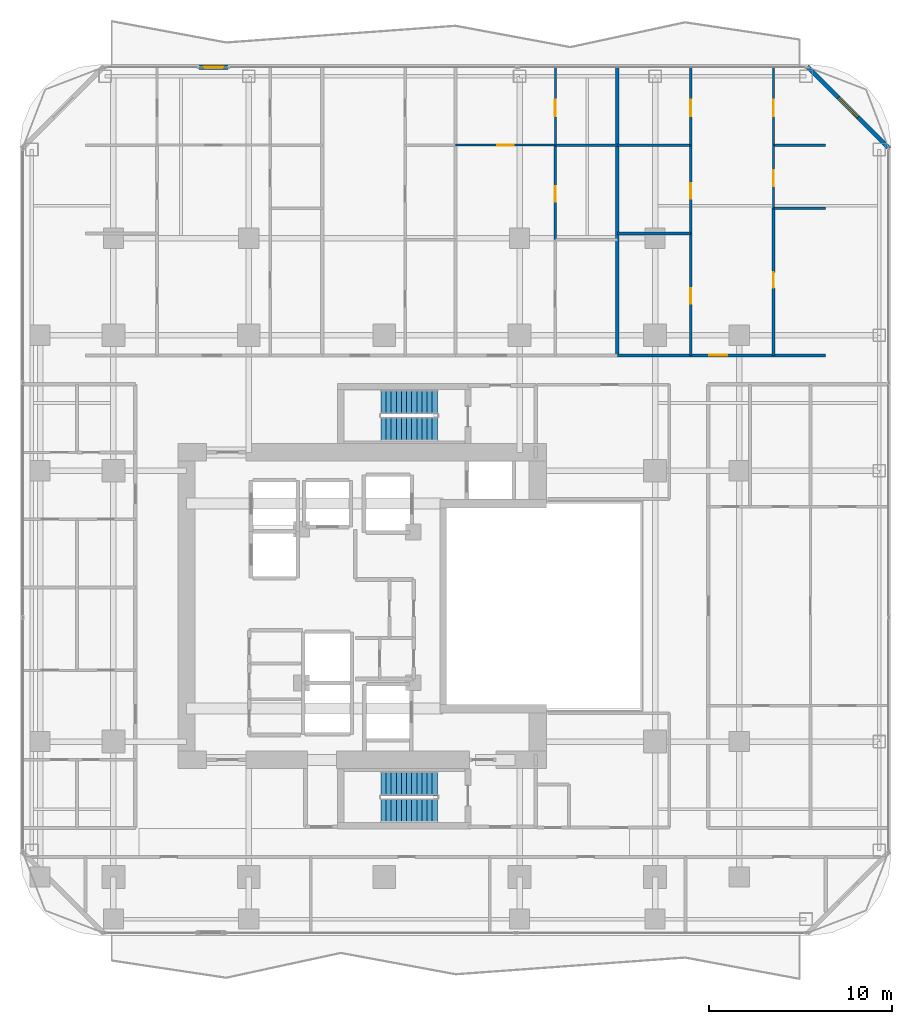
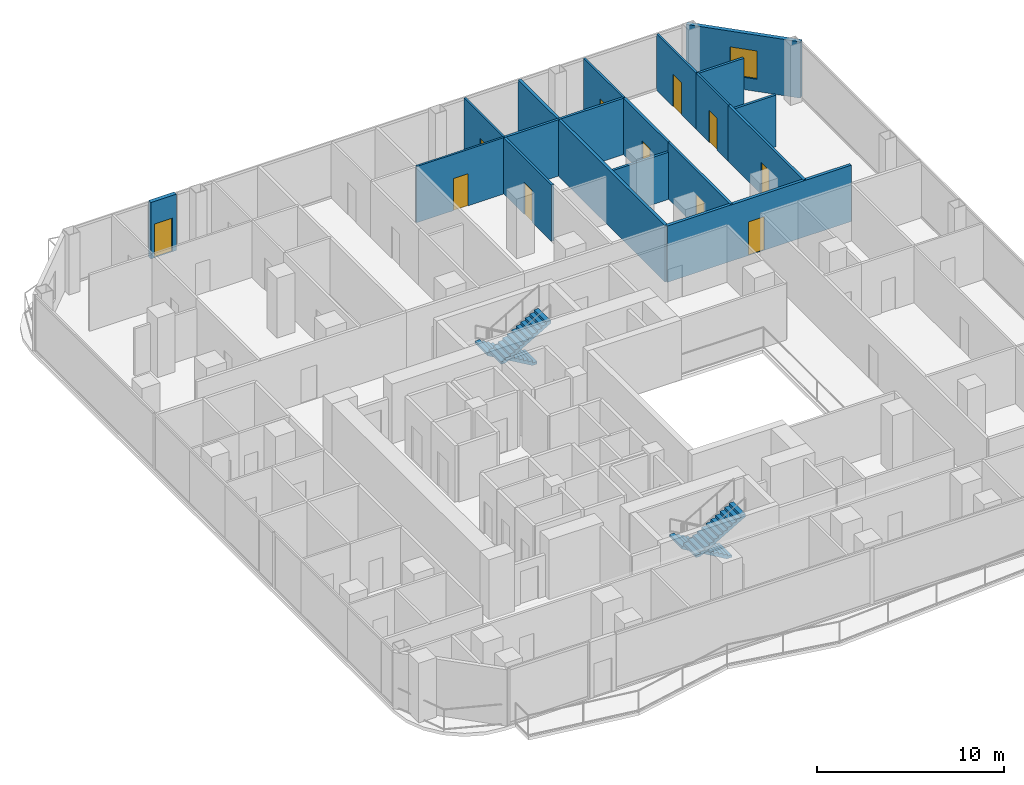
# One storey, part 23 of 26: 18 walls, 11 doors, 4 stair flights, 1 window, 12 openings, 2 elements without a shape of their own.
"""IFC4 building model written with IfcOpenShell, lengths in metres."""

from ifc_helpers import new_model, si_unit, direction, frame, frame_2d, origin, place, context, subcontext, project, spatial, polyline, rectangle, outline, extrude, material, layer, layer_set, type_object, element, fill, aggregate, save


model = new_model("IFC4")

# Units and contexts
model_context = context("Model", 3, precision=1e-05, world=origin(), true_north=direction((0.0, 1.0)))
body_context = subcontext(model_context, "Body", "Model", "MODEL_VIEW")
ifc_project = project(units=[si_unit("LENGTHUNIT", "METRE"), si_unit("AREAUNIT", "SQUARE_METRE"), si_unit("VOLUMEUNIT", "CUBIC_METRE"), si_unit("PLANEANGLEUNIT", "RADIAN"), si_unit("MASSUNIT", "GRAM", prefix="KILO")], contexts=[model_context])

# Site, building, storey
site_placement = place(None, origin())
site = spatial("IfcSite", under=ifc_project, at=site_placement, CompositionType="ELEMENT")
building_placement = place(site_placement, origin())
building = spatial("IfcBuilding", under=site, at=building_placement, Name="Khorvyn Point Tower", CompositionType="ELEMENT")
storey_placement = place(building_placement, frame((0.0, 0.0, 113.39990234375)))
storey = spatial("IfcBuildingStorey", under=building, at=storey_placement, Name="L28", CompositionType="ELEMENT", Elevation=113.39990234375)

# Wall, opening, door
ifc_material_1 = material(Name="Double acoustic gypsum on twin steel stud", Category="steel")
ifc_layer_1 = layer(ifc_material_1, 0.179931640625)
ifc_layer_set_1 = layer_set([ifc_layer_1], Name="Acoustic Double-Stud Apartment Demising Wall 180")
wall_type_1 = type_object("IfcWallType", Name="Acoustic Double-Stud Apartment Demising Wall 180", PredefinedType="PARTITIONING", material=ifc_layer_set_1)
wall_1_placement = place(storey_placement, frame((12.736083984375, 13.699951171875, 0.0), z_axis=(0.0, 0.0, 1.0), x_axis=(1.0, 0.0, 0.0)))
wall_1 = element("IfcWall", 1, at=wall_1_placement, inside=storey, type_object=wall_type_1, Name="Wall", PredefinedType="PARTITIONING", context=body_context, shape_type="SweptSolid", body=[
    extrude(rectangle(XDim=11.384033203125, YDim=0.179931640625, at=frame_2d((5.69189453125, 0.0))), origin(), (0.0, 0.0, 1.0), 3.68017578125),
])
opening_1_placement = place(wall_1_placement, frame((5.01220703125, 0.0, 0.0)))
opening_1 = element("IfcOpeningElement", 2, at=opening_1_placement, cuts=wall_1, Name="Opening ID-AP60", PredefinedType="OPENING", context=body_context, shape_type="SweptSolid", body=[
    extrude(rectangle(XDim=1.0, YDim=2.199951171875, at=frame_2d((0.5, 1.10009765625))), frame((0.0, 0.099853515625, 0.0), z_axis=(0.0, -1.0, 0.0), x_axis=(1.0, 0.0, 0.0)), (0.0, 0.0, 1.0), 0.199951171875),
])
ifc_material_2 = material(Name="Engineered hardwood fire-rated leaf", Category="wood")
door_type_1 = type_object("IfcDoorType", Name="Acoustic Solid-Core Timber Apartment Entrance Door 1000x2200", OperationType="NOTDEFINED", PredefinedType="DOOR", material=ifc_material_2)
door_1_placement = place(opening_1_placement, origin())
door_1 = element("IfcDoor", 3, at=door_1_placement, inside=storey, type_object=door_type_1, Name="Door", OperationType="SINGLE_SWING_LEFT", OverallHeight=2.199951171875, OverallWidth=1.0, PredefinedType="DOOR", context=body_context, shape_type="SweptSolid", body=[
    extrude(rectangle(XDim=1.0, YDim=2.199951171875, at=frame_2d((0.5, 1.10009765625))), frame((0.0, 0.02490234375, 0.0), z_axis=(0.0, -1.0, 0.0), x_axis=(1.0, 0.0, 0.0)), (0.0, 0.0, 1.0), 0.050048828125),
])
fill(opening_1, door_1)

# Wall
wall_2_placement = place(storey_placement, frame((12.736083984375, 13.699951171875, 0.0), z_axis=(0.0, 0.0, 1.0), x_axis=(0.0, 1.0, 0.0)))
element("IfcWall", 4, at=wall_2_placement, inside=storey, type_object=wall_type_1, Name="Wall", PredefinedType="PARTITIONING", context=body_context, shape_type="SweptSolid", body=[
    extrude(rectangle(XDim=15.72998046875, YDim=0.179931640625, at=frame_2d((7.864990234375, 0.0))), origin(), (0.0, 0.0, 1.0), 3.68017578125),
])

# Wall, opening, door
ifc_material_3 = material(Name="Pale anodised aluminium rainscreen on steel stud", Category="steel")
ifc_layer_2 = layer(ifc_material_3, 0.239990234375)
ifc_layer_set_2 = layer_set([ifc_layer_2], Name="Anodised Aluminium Insulated Corner Spandrel Wall 240")
wall_type_2 = type_object("IfcWallType", Name="Anodised Aluminium Insulated Corner Spandrel Wall 240", PredefinedType="SOLIDWALL", material=ifc_layer_set_2)
wall_3_placement = place(storey_placement, frame((-10.10888671875, 29.449951171875, 0.0), z_axis=(0.0, 0.0, 1.0), x_axis=(1.0, 0.0, 0.0)))
wall_3 = element("IfcWall", 5, at=wall_3_placement, inside=storey, type_object=wall_type_2, Name="L28 North Outdoor Threshold Wall", PredefinedType="SOLIDWALL", context=body_context, shape_type="SweptSolid", body=[
    extrude(rectangle(XDim=1.579833984375, YDim=0.239990234375, at=frame_2d((0.7900390625, 0.0))), origin(), (0.0, 0.0, 1.0), 3.68017578125),
])
opening_2_placement = place(wall_3_placement, frame((0.239990234375, 0.0, 0.0)))
opening_2 = element("IfcOpeningElement", 6, at=opening_2_placement, cuts=wall_3, Name="Opening BD-1122", PredefinedType="OPENING", context=body_context, shape_type="SweptSolid", body=[
    extrude(rectangle(XDim=1.10009765625, YDim=2.199951171875, at=frame_2d((0.550048828125, 1.10009765625))), frame((0.0, 0.1298828125, 0.0), z_axis=(0.0, -1.0, 0.0), x_axis=(1.0, 0.0, 0.0)), (0.0, 0.0, 1.0), 0.260009765625),
])
ifc_material_4 = material(Name="Anodised aluminium 6063-T6 and laminated Low-E glass", Category="aluminium")
door_type_2 = type_object("IfcDoorType", Name="Glazed Balcony and Terrace Threshold Door 1100x2200", OperationType="NOTDEFINED", PredefinedType="DOOR", material=ifc_material_4)
door_2_placement = place(opening_2_placement, origin())
door_2 = element("IfcDoor", 7, at=door_2_placement, inside=storey, type_object=door_type_2, Name="L28 North Glazed Balcony Outdoor Door", OperationType="SINGLE_SWING_LEFT", OverallHeight=2.199951171875, OverallWidth=1.10009765625, PredefinedType="DOOR", context=body_context, shape_type="SweptSolid", body=[
    extrude(rectangle(XDim=1.10009765625, YDim=2.199951171875, at=frame_2d((0.550048828125, 1.10009765625))), frame((0.0, 0.02490234375, 0.0), z_axis=(0.0, -1.0, 0.0), x_axis=(1.0, 0.0, 0.0)), (0.0, 0.0, 1.0), 0.050048828125),
])
fill(opening_2, door_2)

# Wall, opening, window
wall_4_placement = place(storey_placement, frame((23.107666015625, 29.492431640625, 0.0), z_axis=(0.0, 0.0, 1.0), x_axis=(0.707087534163, -0.707126027686, 0.0)))
wall_4 = element("IfcWall", 8, at=wall_4_placement, inside=storey, type_object=wall_type_2, Name="L28 Rounded Corner Wall NE", PredefinedType="SOLIDWALL", context=body_context, shape_type="SweptSolid", body=[
    extrude(rectangle(XDim=6.34228515625, YDim=0.239990234375, at=frame_2d((3.171142578125, 0.0))), origin(), (0.0, 0.0, 1.0), 3.68017578125),
])
opening_3_placement = place(wall_4_placement, frame((2.42138671875, 0.0, 0.800048828125)))
opening_3 = element("IfcOpeningElement", 9, at=opening_3_placement, cuts=wall_4, Name="Opening WN-1518", PredefinedType="OPENING", context=body_context, shape_type="SweptSolid", body=[
    extrude(rectangle(XDim=1.5, YDim=1.85009765625, at=frame_2d((0.75, 0.925048828125))), frame((0.0, 0.1298828125, 0.0), z_axis=(0.0, -1.0, 0.0), x_axis=(1.0, 0.0, 0.0)), (0.0, 0.0, 1.0), 0.260009765625),
])
window_type = type_object("IfcWindowType", Name="Anodised Aluminium Rounded-Corner Panoramic Window 1500x1850", PartitioningType="SINGLE_PANEL", PredefinedType="WINDOW", material=ifc_material_4)
window_placement = place(opening_3_placement, origin())
window = element("IfcWindow", 10, at=window_placement, inside=storey, type_object=window_type, Name="L28 Corner Panoramic Window NE", OverallHeight=1.85009765625, OverallWidth=1.5, PartitioningType="SINGLE_PANEL", PredefinedType="WINDOW", context=body_context, shape_type="SweptSolid", body=[
    extrude(rectangle(XDim=1.5, YDim=1.85009765625, at=frame_2d((0.75, 0.925048828125))), frame((0.0, 0.030029296875, 0.0), z_axis=(0.0, -1.0, 0.0), x_axis=(1.0, 0.0, 0.0)), (0.0, 0.0, 1.0), 0.06005859375),
])
fill(opening_3, window)

# Wall, opening, door
ifc_material_5 = material(Name="Gypsum plasterboard on steel stud", Category="steel")
ifc_layer_3 = layer(ifc_material_5, 0.1201171875)
ifc_layer_set_3 = layer_set([ifc_layer_3], Name="Gypsum Acoustic Stud Room Partition Wall 120")
wall_type_3 = type_object("IfcWallType", Name="Gypsum Acoustic Stud Room Partition Wall 120", PredefinedType="PARTITIONING", material=ifc_layer_set_3)
wall_5_placement = place(storey_placement, frame((3.89990234375, 25.18994140625, 0.0), z_axis=(0.0, 0.0, 1.0), x_axis=(1.0, 0.0, 0.0)))
wall_5 = element("IfcWall", 11, at=wall_5_placement, inside=storey, type_object=wall_type_3, Name="Wall", PredefinedType="PARTITIONING", context=body_context, shape_type="SweptSolid", body=[
    extrude(rectangle(XDim=5.451171875, YDim=0.1201171875, at=frame_2d((2.7255859375, 0.0))), origin(), (0.0, 0.0, 1.0), 3.68017578125),
])
opening_4_placement = place(wall_5_placement, frame((2.275390625, 0.0, 0.0)))
opening_4 = element("IfcOpeningElement", 12, at=opening_4_placement, cuts=wall_5, Name="Opening ID-RM90", PredefinedType="OPENING", context=body_context, shape_type="SweptSolid", body=[
    extrude(rectangle(XDim=0.89990234375, YDim=2.10009765625, at=frame_2d((0.449951171875, 1.050048828125))), frame((0.0, 0.070068359375, 0.0), z_axis=(0.0, -1.0, 0.0), x_axis=(1.0, 0.0, 0.0)), (0.0, 0.0, 1.0), 0.14013671875),
])
ifc_material_6 = material(Name="Engineered oak veneer timber", Category="wood")
door_type_3 = type_object("IfcDoorType", Name="Flush Engineered Timber Room Door 900x2100", OperationType="NOTDEFINED", PredefinedType="DOOR", material=ifc_material_6)
door_3_placement = place(opening_4_placement, origin())
door_3 = element("IfcDoor", 13, at=door_3_placement, inside=storey, type_object=door_type_3, Name="Door", OperationType="SINGLE_SWING_LEFT", OverallHeight=2.10009765625, OverallWidth=0.89990234375, PredefinedType="DOOR", context=body_context, shape_type="SweptSolid", body=[
    extrude(rectangle(XDim=0.89990234375, YDim=2.10009765625, at=frame_2d((0.449951171875, 1.050048828125))), frame((0.0, 0.02490234375, 0.0), z_axis=(0.0, -1.0, 0.0), x_axis=(1.0, 0.0, 0.0)), (0.0, 0.0, 1.0), 0.050048828125),
])
fill(opening_4, door_3)

wall_6_placement = place(storey_placement, frame((9.35107421875, 25.18994140625, 0.0), z_axis=(0.0, 0.0, 1.0), x_axis=(0.0, 1.0, 0.0)))
wall_6 = element("IfcWall", 14, at=wall_6_placement, inside=storey, type_object=wall_type_3, Name="Wall", PredefinedType="PARTITIONING", context=body_context, shape_type="SweptSolid", body=[
    extrude(rectangle(XDim=4.239990234375, YDim=0.1201171875, at=frame_2d((2.1201171875, 0.0))), origin(), (0.0, 0.0, 1.0), 3.68017578125),
])
opening_5_placement = place(wall_6_placement, frame((1.581298828125, 0.0, 0.0)))
opening_5 = element("IfcOpeningElement", 15, at=opening_5_placement, cuts=wall_6, Name="Opening ID-RM90", PredefinedType="OPENING", context=body_context, shape_type="SweptSolid", body=[
    extrude(rectangle(XDim=0.89990234375, YDim=2.10009765625, at=frame_2d((0.449951171875, 1.050048828125))), frame((0.0, 0.070068359375, 0.0), z_axis=(0.0, -1.0, 0.0), x_axis=(1.0, 0.0, 0.0)), (0.0, 0.0, 1.0), 0.14013671875),
])
door_4_placement = place(opening_5_placement, origin())
door_4 = element("IfcDoor", 16, at=door_4_placement, inside=storey, type_object=door_type_3, Name="Door", OperationType="SINGLE_SWING_RIGHT", OverallHeight=2.10009765625, OverallWidth=0.89990234375, PredefinedType="DOOR", context=body_context, shape_type="SweptSolid", body=[
    extrude(rectangle(XDim=0.89990234375, YDim=2.10009765625, at=frame_2d((0.449951171875, 1.050048828125))), frame((0.0, 0.02490234375, 0.0), z_axis=(0.0, -1.0, 0.0), x_axis=(1.0, 0.0, 0.0)), (0.0, 0.0, 1.0), 0.050048828125),
])
fill(opening_5, door_4)

wall_7_placement = place(storey_placement, frame((16.748046875, 25.18994140625, 0.0), z_axis=(0.0, 0.0, 1.0), x_axis=(0.0, 1.0, 0.0)))
wall_7 = element("IfcWall", 17, at=wall_7_placement, inside=storey, type_object=wall_type_3, Name="Wall", PredefinedType="PARTITIONING", context=body_context, shape_type="SweptSolid", body=[
    extrude(rectangle(XDim=4.239990234375, YDim=0.1201171875, at=frame_2d((2.1201171875, 0.0))), origin(), (0.0, 0.0, 1.0), 3.68017578125),
])
opening_6_placement = place(wall_7_placement, frame((1.581298828125, 0.0, 0.0)))
opening_6 = element("IfcOpeningElement", 18, at=opening_6_placement, cuts=wall_7, Name="Opening ID-RM90", PredefinedType="OPENING", context=body_context, shape_type="SweptSolid", body=[
    extrude(rectangle(XDim=0.89990234375, YDim=2.10009765625, at=frame_2d((0.449951171875, 1.050048828125))), frame((0.0, 0.070068359375, 0.0), z_axis=(0.0, -1.0, 0.0), x_axis=(1.0, 0.0, 0.0)), (0.0, 0.0, 1.0), 0.14013671875),
])
door_5_placement = place(opening_6_placement, origin())
door_5 = element("IfcDoor", 19, at=door_5_placement, inside=storey, type_object=door_type_3, Name="Door", OperationType="SINGLE_SWING_RIGHT", OverallHeight=2.10009765625, OverallWidth=0.89990234375, PredefinedType="DOOR", context=body_context, shape_type="SweptSolid", body=[
    extrude(rectangle(XDim=0.89990234375, YDim=2.10009765625, at=frame_2d((0.449951171875, 1.050048828125))), frame((0.0, 0.02490234375, 0.0), z_axis=(0.0, -1.0, 0.0), x_axis=(1.0, 0.0, 0.0)), (0.0, 0.0, 1.0), 0.050048828125),
])
fill(opening_6, door_5)

wall_8_placement = place(storey_placement, frame((21.27001953125, 21.742919921875, 0.0), z_axis=(0.0, 0.0, 1.0), x_axis=(0.0, 1.0, 0.0)))
wall_8 = element("IfcWall", 20, at=wall_8_placement, inside=storey, type_object=wall_type_3, Name="Wall", PredefinedType="PARTITIONING", context=body_context, shape_type="SweptSolid", body=[
    extrude(rectangle(XDim=3.447021484375, YDim=0.1201171875, at=frame_2d((1.7236328125, 0.0))), origin(), (0.0, 0.0, 1.0), 3.68017578125),
])
opening_7_placement = place(wall_8_placement, frame((1.2109375, 0.0, 0.0)))
opening_7 = element("IfcOpeningElement", 21, at=opening_7_placement, cuts=wall_8, Name="Opening ID-WC85", PredefinedType="OPENING", context=body_context, shape_type="SweptSolid", body=[
    extrude(rectangle(XDim=0.85009765625, YDim=2.10009765625, at=frame_2d((0.425048828125, 1.050048828125))), frame((0.0, 0.070068359375, 0.0), z_axis=(0.0, -1.0, 0.0), x_axis=(1.0, 0.0, 0.0)), (0.0, 0.0, 1.0), 0.14013671875),
])
ifc_material_7 = material(Name="High-pressure laminate on moisture-resistant core", Category="wood")
door_type_4 = type_object("IfcDoorType", Name="Moisture-Resistant Accessible Washroom Door 850x2100", OperationType="NOTDEFINED", PredefinedType="DOOR", material=ifc_material_7)
door_6_placement = place(opening_7_placement, origin())
door_6 = element("IfcDoor", 22, at=door_6_placement, inside=storey, type_object=door_type_4, Name="Door", OperationType="SINGLE_SWING_RIGHT", OverallHeight=2.10009765625, OverallWidth=0.85009765625, PredefinedType="DOOR", context=body_context, shape_type="SweptSolid", body=[
    extrude(rectangle(XDim=0.85009765625, YDim=2.10009765625, at=frame_2d((0.425048828125, 1.050048828125))), frame((0.0, 0.02490234375, 0.0), z_axis=(0.0, -1.0, 0.0), x_axis=(1.0, 0.0, 0.0)), (0.0, 0.0, 1.0), 0.050048828125),
])
fill(opening_7, door_6)

wall_9_placement = place(storey_placement, frame((21.27001953125, 25.18994140625, 0.0), z_axis=(0.0, 0.0, 1.0), x_axis=(0.0, 1.0, 0.0)))
wall_9 = element("IfcWall", 23, at=wall_9_placement, inside=storey, type_object=wall_type_3, Name="Wall", PredefinedType="PARTITIONING", context=body_context, shape_type="SweptSolid", body=[
    extrude(rectangle(XDim=4.239990234375, YDim=0.1201171875, at=frame_2d((2.1201171875, 0.0))), origin(), (0.0, 0.0, 1.0), 3.68017578125),
])
opening_8_placement = place(wall_9_placement, frame((1.581298828125, 0.0, 0.0)))
opening_8 = element("IfcOpeningElement", 24, at=opening_8_placement, cuts=wall_9, Name="Opening ID-RM90", PredefinedType="OPENING", context=body_context, shape_type="SweptSolid", body=[
    extrude(rectangle(XDim=0.89990234375, YDim=2.10009765625, at=frame_2d((0.449951171875, 1.050048828125))), frame((0.0, 0.070068359375, 0.0), z_axis=(0.0, -1.0, 0.0), x_axis=(1.0, 0.0, 0.0)), (0.0, 0.0, 1.0), 0.14013671875),
])
door_7_placement = place(opening_8_placement, origin())
door_7 = element("IfcDoor", 25, at=door_7_placement, inside=storey, type_object=door_type_3, Name="Door", OperationType="SINGLE_SWING_LEFT", OverallHeight=2.10009765625, OverallWidth=0.89990234375, PredefinedType="DOOR", context=body_context, shape_type="SweptSolid", body=[
    extrude(rectangle(XDim=0.89990234375, YDim=2.10009765625, at=frame_2d((0.449951171875, 1.050048828125))), frame((0.0, 0.02490234375, 0.0), z_axis=(0.0, -1.0, 0.0), x_axis=(1.0, 0.0, 0.0)), (0.0, 0.0, 1.0), 0.050048828125),
])
fill(opening_8, door_7)

ifc_material_8 = material(Name="Moisture-resistant gypsum and cement board", Category="gypsum")
ifc_layer_4 = layer(ifc_material_8, 0.14990234375)
ifc_layer_set_4 = layer_set([ifc_layer_4], Name="Moisture-Resistant Wet-Room Partition Wall 150")
wall_type_4 = type_object("IfcWallType", Name="Moisture-Resistant Wet-Room Partition Wall 150", PredefinedType="PARTITIONING", material=ifc_layer_set_4)
wall_10_placement = place(storey_placement, frame((9.35107421875, 20.02001953125, 0.0), z_axis=(0.0, 0.0, 1.0), x_axis=(0.0, 1.0, 0.0)))
wall_10 = element("IfcWall", 26, at=wall_10_placement, inside=storey, type_object=wall_type_4, Name="Wall", PredefinedType="PARTITIONING", context=body_context, shape_type="SweptSolid", body=[
    extrude(rectangle(XDim=5.169921875, YDim=0.14990234375, at=frame_2d((2.5849609375, 0.0))), origin(), (0.0, 0.0, 1.0), 3.68017578125),
])
opening_9_placement = place(wall_10_placement, frame((2.072998046875, 0.0, 0.0)))
opening_9 = element("IfcOpeningElement", 27, at=opening_9_placement, cuts=wall_10, Name="Opening ID-WC85", PredefinedType="OPENING", context=body_context, shape_type="SweptSolid", body=[
    extrude(rectangle(XDim=0.85009765625, YDim=2.10009765625, at=frame_2d((0.425048828125, 1.050048828125))), frame((0.0, 0.0849609375, 0.0), z_axis=(0.0, -1.0, 0.0), x_axis=(1.0, 0.0, 0.0)), (0.0, 0.0, 1.0), 0.169921875),
])
door_8_placement = place(opening_9_placement, origin())
door_8 = element("IfcDoor", 28, at=door_8_placement, inside=storey, type_object=door_type_4, Name="Door", OperationType="SINGLE_SWING_LEFT", OverallHeight=2.10009765625, OverallWidth=0.85009765625, PredefinedType="DOOR", context=body_context, shape_type="SweptSolid", body=[
    extrude(rectangle(XDim=0.85009765625, YDim=2.10009765625, at=frame_2d((0.425048828125, 1.050048828125))), frame((0.0, 0.02490234375, 0.0), z_axis=(0.0, -1.0, 0.0), x_axis=(1.0, 0.0, 0.0)), (0.0, 0.0, 1.0), 0.050048828125),
])
fill(opening_9, door_8)

wall_11_placement = place(storey_placement, frame((16.748046875, 13.699951171875, 0.0), z_axis=(0.0, 0.0, 1.0), x_axis=(0.0, 1.0, 0.0)))
wall_11 = element("IfcWall", 29, at=wall_11_placement, inside=storey, type_object=wall_type_4, Name="Wall", PredefinedType="PARTITIONING", context=body_context, shape_type="SweptSolid", body=[
    extrude(rectangle(XDim=6.6640625, YDim=0.14990234375, at=frame_2d((3.33203125, 0.0))), origin(), (0.0, 0.0, 1.0), 3.68017578125),
])
opening_10_placement = place(wall_11_placement, frame((2.818359375, 0.0, 0.0)))
opening_10 = element("IfcOpeningElement", 30, at=opening_10_placement, cuts=wall_11, Name="Opening ID-WC85", PredefinedType="OPENING", context=body_context, shape_type="SweptSolid", body=[
    extrude(rectangle(XDim=0.85009765625, YDim=2.10009765625, at=frame_2d((0.425048828125, 1.050048828125))), frame((0.0, 0.0849609375, 0.0), z_axis=(0.0, -1.0, 0.0), x_axis=(1.0, 0.0, 0.0)), (0.0, 0.0, 1.0), 0.169921875),
])
door_9_placement = place(opening_10_placement, origin())
door_9 = element("IfcDoor", 31, at=door_9_placement, inside=storey, type_object=door_type_4, Name="Door", OperationType="SINGLE_SWING_RIGHT", OverallHeight=2.10009765625, OverallWidth=0.85009765625, PredefinedType="DOOR", context=body_context, shape_type="SweptSolid", body=[
    extrude(rectangle(XDim=0.85009765625, YDim=2.10009765625, at=frame_2d((0.425048828125, 1.050048828125))), frame((0.0, 0.02490234375, 0.0), z_axis=(0.0, -1.0, 0.0), x_axis=(1.0, 0.0, 0.0)), (0.0, 0.0, 1.0), 0.050048828125),
])
fill(opening_10, door_9)

wall_12_placement = place(storey_placement, frame((16.748046875, 20.364013671875, 0.0), z_axis=(0.0, 0.0, 1.0), x_axis=(0.0, 1.0, 0.0)))
wall_12 = element("IfcWall", 32, at=wall_12_placement, inside=storey, type_object=wall_type_4, Name="Wall", PredefinedType="PARTITIONING", context=body_context, shape_type="SweptSolid", body=[
    extrude(rectangle(XDim=4.825927734375, YDim=0.14990234375, at=frame_2d((2.4130859375, 0.0))), origin(), (0.0, 0.0, 1.0), 3.68017578125),
])
opening_11_placement = place(wall_12_placement, frame((1.90087890625, 0.0, 0.0)))
opening_11 = element("IfcOpeningElement", 33, at=opening_11_placement, cuts=wall_12, Name="Opening ID-WC85", PredefinedType="OPENING", context=body_context, shape_type="SweptSolid", body=[
    extrude(rectangle(XDim=0.85009765625, YDim=2.10009765625, at=frame_2d((0.425048828125, 1.050048828125))), frame((0.0, 0.0849609375, 0.0), z_axis=(0.0, -1.0, 0.0), x_axis=(1.0, 0.0, 0.0)), (0.0, 0.0, 1.0), 0.169921875),
])
door_10_placement = place(opening_11_placement, origin())
door_10 = element("IfcDoor", 34, at=door_10_placement, inside=storey, type_object=door_type_4, Name="Door", OperationType="SINGLE_SWING_LEFT", OverallHeight=2.10009765625, OverallWidth=0.85009765625, PredefinedType="DOOR", context=body_context, shape_type="SweptSolid", body=[
    extrude(rectangle(XDim=0.85009765625, YDim=2.10009765625, at=frame_2d((0.425048828125, 1.050048828125))), frame((0.0, 0.02490234375, 0.0), z_axis=(0.0, -1.0, 0.0), x_axis=(1.0, 0.0, 0.0)), (0.0, 0.0, 1.0), 0.050048828125),
])
fill(opening_11, door_10)

wall_13_placement = place(storey_placement, frame((21.27001953125, 13.699951171875, 0.0), z_axis=(0.0, 0.0, 1.0), x_axis=(0.0, 1.0, 0.0)))
wall_13 = element("IfcWall", 35, at=wall_13_placement, inside=storey, type_object=wall_type_4, Name="Wall", PredefinedType="PARTITIONING", context=body_context, shape_type="SweptSolid", body=[
    extrude(rectangle(XDim=8.04296875, YDim=0.14990234375, at=frame_2d((4.021484375, 0.0))), origin(), (0.0, 0.0, 1.0), 3.68017578125),
])
opening_12_placement = place(wall_13_placement, frame((3.6845703125, 0.0, 0.0)))
opening_12 = element("IfcOpeningElement", 36, at=opening_12_placement, cuts=wall_13, Name="Opening ID-WC85", PredefinedType="OPENING", context=body_context, shape_type="SweptSolid", body=[
    extrude(rectangle(XDim=0.85009765625, YDim=2.10009765625, at=frame_2d((0.425048828125, 1.050048828125))), frame((0.0, 0.0849609375, 0.0), z_axis=(0.0, -1.0, 0.0), x_axis=(1.0, 0.0, 0.0)), (0.0, 0.0, 1.0), 0.169921875),
])
door_11_placement = place(opening_12_placement, origin())
door_11 = element("IfcDoor", 37, at=door_11_placement, inside=storey, type_object=door_type_4, Name="Door", OperationType="SINGLE_SWING_LEFT", OverallHeight=2.10009765625, OverallWidth=0.85009765625, PredefinedType="DOOR", context=body_context, shape_type="SweptSolid", body=[
    extrude(rectangle(XDim=0.85009765625, YDim=2.10009765625, at=frame_2d((0.425048828125, 1.050048828125))), frame((0.0, 0.02490234375, 0.0), z_axis=(0.0, -1.0, 0.0), x_axis=(1.0, 0.0, 0.0)), (0.0, 0.0, 1.0), 0.050048828125),
])
fill(opening_12, door_11)

# Walls
wall_14_placement = place(storey_placement, frame((9.35107421875, 25.18994140625, 0.0), z_axis=(0.0, 0.0, 1.0), x_axis=(1.0, 0.0, 0.0)))
element("IfcWall", 38, at=wall_14_placement, inside=storey, type_object=wall_type_4, Name="Wall", PredefinedType="PARTITIONING", context=body_context, shape_type="SweptSolid", body=[
    extrude(rectangle(XDim=3.385009765625, YDim=0.14990234375, at=frame_2d((1.6923828125, 0.0))), origin(), (0.0, 0.0, 1.0), 3.68017578125),
])
wall_15_placement = place(storey_placement, frame((12.736083984375, 20.364013671875, 0.0), z_axis=(0.0, 0.0, 1.0), x_axis=(1.0, 0.0, 0.0)))
element("IfcWall", 39, at=wall_15_placement, inside=storey, type_object=wall_type_4, Name="Wall", PredefinedType="PARTITIONING", context=body_context, shape_type="SweptSolid", body=[
    extrude(rectangle(XDim=4.011962890625, YDim=0.14990234375, at=frame_2d((2.005859375, 0.0))), origin(), (0.0, 0.0, 1.0), 3.08203125),
])
wall_16_placement = place(storey_placement, frame((12.736083984375, 25.18994140625, 0.0), z_axis=(0.0, 0.0, 1.0), x_axis=(1.0, 0.0, 0.0)))
element("IfcWall", 40, at=wall_16_placement, inside=storey, type_object=wall_type_4, Name="Wall", PredefinedType="PARTITIONING", context=body_context, shape_type="SweptSolid", body=[
    extrude(rectangle(XDim=4.011962890625, YDim=0.14990234375, at=frame_2d((2.005859375, 0.0))), origin(), (0.0, 0.0, 1.0), 3.68017578125),
])
wall_17_placement = place(storey_placement, frame((21.27001953125, 21.742919921875, 0.0), z_axis=(0.0, 0.0, 1.0), x_axis=(1.0, 0.0, 0.0)))
element("IfcWall", 41, at=wall_17_placement, inside=storey, type_object=wall_type_4, Name="Wall", PredefinedType="PARTITIONING", context=body_context, shape_type="SweptSolid", body=[
    extrude(rectangle(XDim=2.85009765625, YDim=0.14990234375, at=frame_2d((1.425048828125, 0.0))), origin(), (0.0, 0.0, 1.0), 3.3701171875),
])
wall_18_placement = place(storey_placement, frame((21.27001953125, 25.18994140625, 0.0), z_axis=(0.0, 0.0, 1.0), x_axis=(1.0, 0.0, 0.0)))
element("IfcWall", 42, at=wall_18_placement, inside=storey, type_object=wall_type_4, Name="Wall", PredefinedType="PARTITIONING", context=body_context, shape_type="SweptSolid", body=[
    extrude(rectangle(XDim=2.85009765625, YDim=0.14990234375, at=frame_2d((1.425048828125, 0.0))), origin(), (0.0, 0.0, 1.0), 3.68017578125),
])

# Stair, stair flights
ifc_material_9 = material(Name="Concrete C40/50", Category="concrete")
stair_type = type_object("IfcStairType", Name="Tower Concrete C40/50 Dogleg Exit Stair", PredefinedType="HALF_TURN_STAIR", material=ifc_material_9)
stair_1_placement = place(storey_placement, origin())
stair_1 = element("IfcStair", 43, at=stair_1_placement, inside=storey, type_object=stair_type, Name="L28 Tower Smokeproof Exit Stair South", PredefinedType="HALF_TURN_STAIR")
stair_flight_type = type_object("IfcStairFlightType", Name="Tower Concrete C40/50 Stair Flight", PredefinedType="STRAIGHT", material=ifc_material_9)
stair_flight_1_placement = place(storey_placement, frame((2.89990234375, -9.679931640625, 0.0), z_axis=(0.0, 0.0, 1.0), x_axis=(-1.0, 0.0, 0.0)))
stair_flight_1 = element("IfcStairFlight", 44, at=stair_flight_1_placement, type_object=stair_flight_type, Name="ST-01 flight 1", NumberOfRisers=12, NumberOfTreads=11, PredefinedType="STRAIGHT", RiserHeight=0.1625, TreadLength=0.28, context=body_context, shape_type="SweptSolid", body=[
    extrude(outline(polyline([(0.0, 0.0), (0.0, 0.16259765625), (0.280029296875, 0.16259765625), (0.280029296875, 0.324951171875), (0.56005859375, 0.324951171875), (0.56005859375, 0.487548828125), (0.840087890625, 0.487548828125), (0.840087890625, 0.64990234375), (1.1201171875, 0.64990234375), (1.1201171875, 0.8125), (1.39990234375, 0.8125), (1.39990234375, 0.97509765625), (1.679931640625, 0.97509765625), (1.679931640625, 1.137451171875), (1.9599609375, 1.137451171875), (1.9599609375, 1.300048828125), (2.239990234375, 1.300048828125), (2.239990234375, 1.46240234375), (2.52001953125, 1.46240234375), (2.52001953125, 1.625), (2.800048828125, 1.625), (2.800048828125, 1.78759765625), (3.080078125, 1.78759765625), (3.080078125, 1.949951171875), (3.080078125, 1.6142578125), (0.298583984375, 0.0), (0.0, 0.0)])), frame((0.0, 0.66015625, 0.0), z_axis=(0.0, -1.0, 0.0), x_axis=(1.0, 0.0, 0.0)), (0.0, 0.0, 1.0), 1.320068359375),
])
stair_flight_2_placement = place(storey_placement, frame((-0.179931640625, -11.159912109375, 1.9501953125), z_axis=(0.0, 0.0, 1.0), x_axis=(1.0, 0.0, 0.0)))
stair_flight_2 = element("IfcStairFlight", 45, at=stair_flight_2_placement, type_object=stair_flight_type, Name="ST-01 flight 2", NumberOfRisers=12, NumberOfTreads=11, PredefinedType="STRAIGHT", RiserHeight=0.1625, TreadLength=0.28, context=body_context, shape_type="SweptSolid", body=[
    extrude(outline(polyline([(0.0, 0.0), (0.0, 0.16259765625), (0.280029296875, 0.16259765625), (0.280029296875, 0.324951171875), (0.56005859375, 0.324951171875), (0.56005859375, 0.487548828125), (0.840087890625, 0.487548828125), (0.840087890625, 0.64990234375), (1.1201171875, 0.64990234375), (1.1201171875, 0.8125), (1.39990234375, 0.8125), (1.39990234375, 0.97509765625), (1.679931640625, 0.97509765625), (1.679931640625, 1.137451171875), (1.9599609375, 1.137451171875), (1.9599609375, 1.300048828125), (2.239990234375, 1.300048828125), (2.239990234375, 1.46240234375), (2.52001953125, 1.46240234375), (2.52001953125, 1.625), (2.800048828125, 1.625), (2.800048828125, 1.78759765625), (3.080078125, 1.78759765625), (3.080078125, 1.949951171875), (3.080078125, 1.6142578125), (0.298583984375, 0.0), (0.0, 0.0)])), frame((0.0, 0.66015625, 0.0), z_axis=(0.0, -1.0, 0.0), x_axis=(1.0, 0.0, 0.0)), (0.0, 0.0, 1.0), 1.320068359375),
])
aggregate(stair_1, [stair_flight_1, stair_flight_2])

stair_2_placement = place(storey_placement, origin())
stair_2 = element("IfcStair", 46, at=stair_2_placement, inside=storey, type_object=stair_type, Name="L28 Tower Smokeproof Exit Stair North", PredefinedType="HALF_TURN_STAIR")
stair_flight_3_placement = place(storey_placement, frame((2.89990234375, 11.159912109375, 0.0), z_axis=(0.0, 0.0, 1.0), x_axis=(-1.0, 0.0, 0.0)))
stair_flight_3 = element("IfcStairFlight", 47, at=stair_flight_3_placement, type_object=stair_flight_type, Name="ST-02 flight 1", NumberOfRisers=12, NumberOfTreads=11, PredefinedType="STRAIGHT", RiserHeight=0.1625, TreadLength=0.28, context=body_context, shape_type="SweptSolid", body=[
    extrude(outline(polyline([(0.0, 0.0), (0.0, 0.16259765625), (0.280029296875, 0.16259765625), (0.280029296875, 0.324951171875), (0.56005859375, 0.324951171875), (0.56005859375, 0.487548828125), (0.840087890625, 0.487548828125), (0.840087890625, 0.64990234375), (1.1201171875, 0.64990234375), (1.1201171875, 0.8125), (1.39990234375, 0.8125), (1.39990234375, 0.97509765625), (1.679931640625, 0.97509765625), (1.679931640625, 1.137451171875), (1.9599609375, 1.137451171875), (1.9599609375, 1.300048828125), (2.239990234375, 1.300048828125), (2.239990234375, 1.46240234375), (2.52001953125, 1.46240234375), (2.52001953125, 1.625), (2.800048828125, 1.625), (2.800048828125, 1.78759765625), (3.080078125, 1.78759765625), (3.080078125, 1.949951171875), (3.080078125, 1.6142578125), (0.298583984375, 0.0), (0.0, 0.0)])), frame((0.0, 0.66015625, 0.0), z_axis=(0.0, -1.0, 0.0), x_axis=(1.0, 0.0, 0.0)), (0.0, 0.0, 1.0), 1.320068359375),
])
stair_flight_4_placement = place(storey_placement, frame((-0.179931640625, 9.679931640625, 1.9501953125), z_axis=(0.0, 0.0, 1.0), x_axis=(1.0, 0.0, 0.0)))
stair_flight_4 = element("IfcStairFlight", 48, at=stair_flight_4_placement, type_object=stair_flight_type, Name="ST-02 flight 2", NumberOfRisers=12, NumberOfTreads=11, PredefinedType="STRAIGHT", RiserHeight=0.1625, TreadLength=0.28, context=body_context, shape_type="SweptSolid", body=[
    extrude(outline(polyline([(0.0, 0.0), (0.0, 0.16259765625), (0.280029296875, 0.16259765625), (0.280029296875, 0.324951171875), (0.56005859375, 0.324951171875), (0.56005859375, 0.487548828125), (0.840087890625, 0.487548828125), (0.840087890625, 0.64990234375), (1.1201171875, 0.64990234375), (1.1201171875, 0.8125), (1.39990234375, 0.8125), (1.39990234375, 0.97509765625), (1.679931640625, 0.97509765625), (1.679931640625, 1.137451171875), (1.9599609375, 1.137451171875), (1.9599609375, 1.300048828125), (2.239990234375, 1.300048828125), (2.239990234375, 1.46240234375), (2.52001953125, 1.46240234375), (2.52001953125, 1.625), (2.800048828125, 1.625), (2.800048828125, 1.78759765625), (3.080078125, 1.78759765625), (3.080078125, 1.949951171875), (3.080078125, 1.6142578125), (0.298583984375, 0.0), (0.0, 0.0)])), frame((0.0, 0.66015625, 0.0), z_axis=(0.0, -1.0, 0.0), x_axis=(1.0, 0.0, 0.0)), (0.0, 0.0, 1.0), 1.320068359375),
])
aggregate(stair_2, [stair_flight_3, stair_flight_4])

save(model, "model.ifc")
